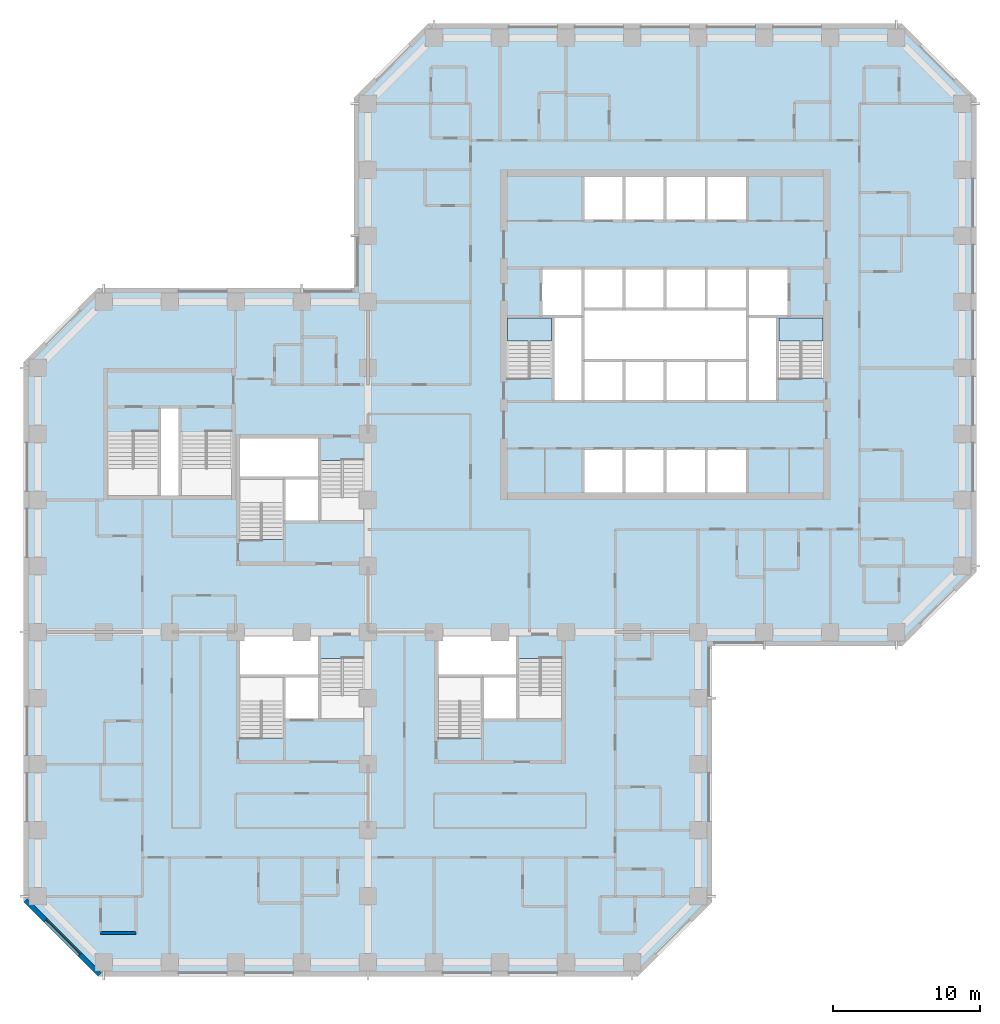
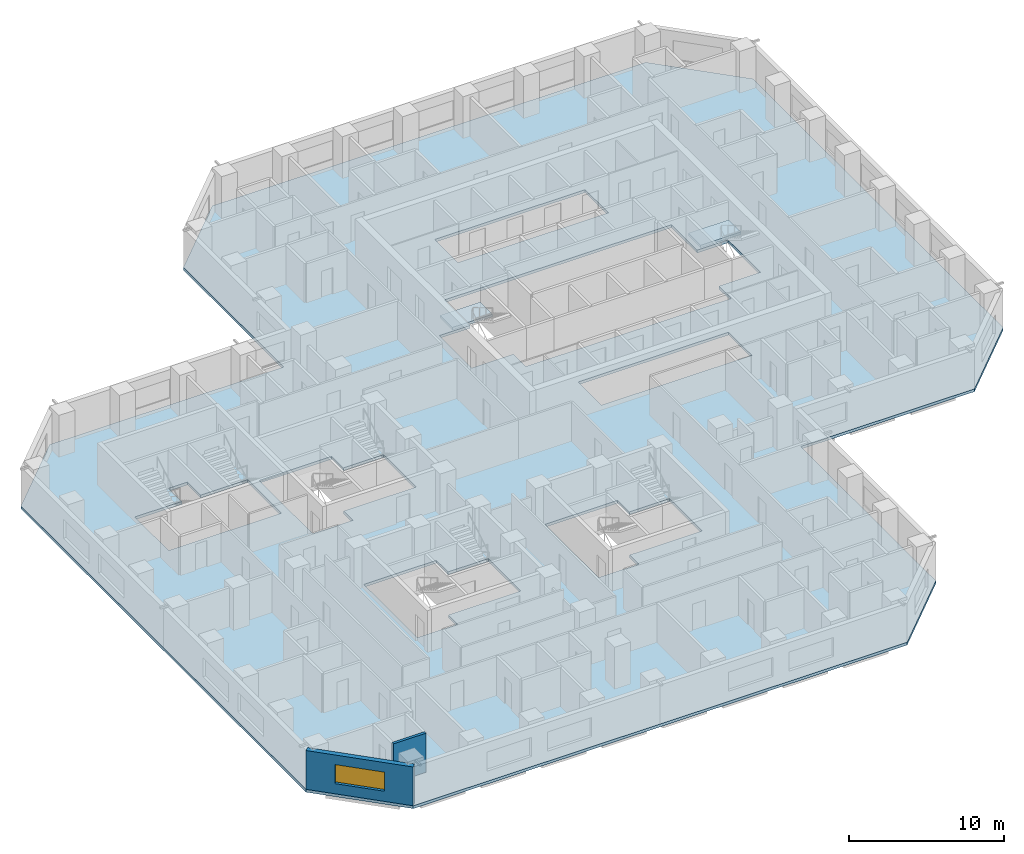
# One storey, part 2 of 13: 3 slabs, 2 walls, 1 window, 1 opening, 2 elements without a shape of their own.
"""IFC4 building model written with IfcOpenShell, lengths in metres."""

from ifc_helpers import new_model, si_unit, direction, frame, frame_2d, origin, place, context, subcontext, project, spatial, polyline, rectangle, outline, extrude, material, layer, layer_set, constituent, constituent_set, type_object, element, fill, aggregate, save


model = new_model("IFC4")

# Units and contexts
model_context = context("Model", 3, precision=1e-05, world=origin(), true_north=direction((0.0, 1.0)))
body_context = subcontext(model_context, "Body", "Model", "MODEL_VIEW")
ifc_project = project(units=[si_unit("LENGTHUNIT", "METRE"), si_unit("AREAUNIT", "SQUARE_METRE"), si_unit("VOLUMEUNIT", "CUBIC_METRE"), si_unit("PLANEANGLEUNIT", "RADIAN"), si_unit("MASSUNIT", "GRAM", prefix="KILO")], contexts=[model_context])

# Site, building, storey
site_placement = place(None, origin())
site = spatial("IfcSite", under=ifc_project, at=site_placement, CompositionType="ELEMENT")
building_placement = place(site_placement, origin())
building = spatial("IfcBuilding", under=site, at=building_placement, Name="Quoin Convention Tower", CompositionType="ELEMENT")
storey_placement = place(building_placement, frame((0.0, 0.0, 62.699951171875)))
storey = spatial("IfcBuildingStorey", under=building, at=storey_placement, Name="L16", CompositionType="ELEMENT", Elevation=62.699951171875)

# Slab
ifc_material_1 = material(Name="Concrete C50", Category="concrete")
ifc_layer_1 = layer(ifc_material_1, 0.219970703125)
ifc_layer_set_1 = layer_set([ifc_layer_1], Name="Concrete C50")
slab_type_1 = type_object("IfcSlabType", Name="RC SLAB 220 C50", PredefinedType="FLOOR", material=ifc_layer_set_1)
slab_1_placement = place(storey_placement, frame((0.0, 0.0, -0.219970703125)))
element("IfcSlab", 1, at=slab_1_placement, inside=storey, type_object=slab_type_1, Name="slb-L16", PredefinedType="FLOOR", context=body_context, shape_type="SweptSolid", body=[
    extrude(outline(polyline([(12.550048828125, 58.8935546875), (17.6064453125, 63.949951171875), (35.050048828125, 63.949951171875), (35.050048828125, 76.8935546875), (40.1064453125, 81.949951171875), (72.3935546875, 81.949951171875), (77.449951171875, 76.8935546875), (77.449951171875, 44.6064453125), (72.3935546875, 39.550048828125), (59.449951171875, 39.550048828125), (59.449951171875, 22.1064453125), (54.3935546875, 17.050048828125), (17.6064453125, 17.050048828125), (12.550048828125, 22.1064453125), (12.550048828125, 58.8935546875)]), holes=[polyline([(30.300048828125, 33.300537109375), (30.300048828125, 34.5), (32.699951171875, 34.5), (35.699951171875, 34.5), (35.699951171875, 38.699462890625), (32.699951171875, 38.699462890625), (32.699951171875, 40.199951171875), (27.300048828125, 40.199951171875), (27.300048828125, 37.5), (27.300048828125, 33.300537109375), (30.300048828125, 33.300537109375)]), polyline([(43.800048828125, 33.300537109375), (43.800048828125, 34.5), (46.199951171875, 34.5), (49.199951171875, 34.5), (49.199951171875, 38.699462890625), (46.199951171875, 38.699462890625), (46.199951171875, 40.199951171875), (40.800048828125, 40.199951171875), (40.800048828125, 37.5), (40.800048828125, 33.300537109375), (43.800048828125, 33.300537109375)]), polyline([(27.300048828125, 46.800537109375), (30.300048828125, 46.800537109375), (30.300048828125, 48.0), (32.699951171875, 48.0), (35.699951171875, 48.0), (35.699951171875, 52.199462890625), (32.699951171875, 52.199462890625), (32.699951171875, 53.699951171875), (27.300048828125, 53.699951171875), (27.300048828125, 51.0), (27.300048828125, 46.800537109375)]), polyline([(53.449951171875, 50.0), (56.25, 50.0), (59.050048828125, 50.0), (61.85009765625, 50.0), (61.85009765625, 53.0), (59.050048828125, 53.0), (56.25, 53.0), (53.449951171875, 53.0), (50.64990234375, 53.0), (50.64990234375, 50.0), (53.449951171875, 50.0)]), polyline([(23.199951171875, 49.800048828125), (26.699951171875, 49.800048828125), (26.699951171875, 54.1494140625), (23.199951171875, 54.1494140625), (23.199951171875, 55.85009765625), (21.800048828125, 55.85009765625), (21.800048828125, 54.1494140625), (18.300048828125, 54.1494140625), (18.300048828125, 49.800048828125), (21.800048828125, 49.800048828125), (23.199951171875, 49.800048828125)]), polyline([(45.5, 57.800537109375), (48.60009765625, 57.800537109375), (48.60009765625, 56.199951171875), (50.64990234375, 56.199951171875), (53.449951171875, 56.199951171875), (56.25, 56.199951171875), (59.050048828125, 56.199951171875), (61.85009765625, 56.199951171875), (63.89990234375, 56.199951171875), (63.89990234375, 57.800537109375), (67.0, 57.800537109375), (67.0, 62.0), (64.699951171875, 62.0), (64.699951171875, 65.300048828125), (61.85009765625, 65.300048828125), (59.050048828125, 65.300048828125), (56.25, 65.300048828125), (53.449951171875, 65.300048828125), (50.64990234375, 65.300048828125), (47.800048828125, 65.300048828125), (47.800048828125, 62.0), (45.5, 62.0), (45.5, 57.800537109375)]), polyline([(59.050048828125, 68.5), (61.85009765625, 68.5), (61.85009765625, 71.5), (59.050048828125, 71.5), (56.25, 71.5), (53.449951171875, 71.5), (50.64990234375, 71.5), (50.64990234375, 68.5), (53.449951171875, 68.5), (56.25, 68.5), (59.050048828125, 68.5)])]), origin(), (0.0, 0.0, 1.0), 0.219970703125),
])

# Stair, slab
ifc_material_2 = material(Name="Concrete C40", Category="concrete")
stair_type = type_object("IfcStairType", Name="Exit stair two-flight 1350", PredefinedType="HALF_TURN_STAIR", material=ifc_material_2)
stair_1_placement = place(storey_placement, origin())
stair_1 = element("IfcStair", 2, at=stair_1_placement, inside=storey, type_object=stair_type, Name="SD1 L16", PredefinedType="HALF_TURN_STAIR")
ifc_layer_2 = layer(ifc_material_2, 0.199951171875)
ifc_layer_set_2 = layer_set([ifc_layer_2], Name="Concrete C40")
slab_type_2 = type_object("IfcSlabType", Name="Stair landing 200", PredefinedType="LANDING", material=ifc_layer_set_2)
slab_2_placement = place(storey_placement, frame((0.0, 0.0, 1.449951171875)))
slab_2 = element("IfcSlab", 3, at=slab_2_placement, type_object=slab_type_2, Name="ST1 landing 1", PredefinedType="LANDING", context=body_context, shape_type="SweptSolid", body=[
    extrude(outline(polyline([(45.5, 60.320068359375), (48.5, 60.320068359375), (48.5, 61.89990234375), (45.5, 61.89990234375), (45.5, 60.320068359375)])), origin(), (0.0, 0.0, 1.0), 0.2001953125),
])
aggregate(stair_1, [slab_2])

stair_2_placement = place(storey_placement, origin())
stair_2 = element("IfcStair", 4, at=stair_2_placement, inside=storey, type_object=stair_type, Name="SD2 L16", PredefinedType="HALF_TURN_STAIR")
slab_3_placement = place(storey_placement, frame((0.0, 0.0, 1.449951171875)))
slab_3 = element("IfcSlab", 5, at=slab_3_placement, type_object=slab_type_2, Name="ST2 landing 1", PredefinedType="LANDING", context=body_context, shape_type="SweptSolid", body=[
    extrude(outline(polyline([(64.0, 60.320068359375), (67.0, 60.320068359375), (67.0, 61.89990234375), (64.0, 61.89990234375), (64.0, 60.320068359375)])), origin(), (0.0, 0.0, 1.0), 0.2001953125),
])
aggregate(stair_2, [slab_3])

# Wall, opening, window
ifc_material_3 = material(Name="Brick masonry", Category="masonry")
ifc_layer_3 = layer(ifc_material_3, 0.35009765625)
ifc_layer_set_3 = layer_set([ifc_layer_3], Name="Brick masonry")
wall_type_1 = type_object("IfcWallType", Name="Brick facade wall", PredefinedType="STANDARD", material=ifc_layer_set_3)
wall_1_placement = place(storey_placement, frame((12.673583984375, 22.230224609375, 0.0), z_axis=(0.0, 0.0, 1.0), x_axis=(0.707106781187, -0.707106781187, 0.0)))
wall_1 = element("IfcWall", 6, at=wall_1_placement, inside=storey, type_object=wall_type_1, Name="fw-L16-13500_22500", PredefinedType="STANDARD", context=body_context, shape_type="SweptSolid", body=[
    extrude(rectangle(XDim=7.151123046875, YDim=0.35009765625, at=frame_2d((3.57568359375, 0.0))), origin(), (0.0, 0.0, 1.0), 3.054931640625),
])
opening_placement = place(wall_1_placement, frame((1.925537109375, 0.0, 0.800048828125)))
opening = element("IfcOpeningElement", 7, at=opening_placement, cuts=wall_1, Name="Opening W-01", PredefinedType="OPENING", context=body_context, shape_type="SweptSolid", body=[
    extrude(rectangle(XDim=3.300048828125, YDim=1.5, at=frame_2d((1.64990234375, 0.75))), frame((0.0, 0.18505859375, 0.0), z_axis=(0.0, -1.0, 0.0), x_axis=(1.0, 0.0, 0.0)), (0.0, 0.0, 1.0), 0.3701171875),
])
ifc_material_4 = material(Name="Aluminium", Category="aluminium")
ifc_constituent_1 = constituent(ifc_material_4, Name="Frame")
ifc_material_5 = material(Name="Insulated glass", Category="glass")
ifc_constituent_2 = constituent(ifc_material_5, Name="Glazing")
ifc_constituent_set = constituent_set(constituents=[ifc_constituent_1, ifc_constituent_2], Name="Aluminium")
window_type = type_object("IfcWindowType", Name="Hotel strip window", PartitioningType="DOUBLE_PANEL_VERTICAL", PredefinedType="WINDOW", material=ifc_constituent_set)
window_placement = place(opening_placement, origin())
window = element("IfcWindow", 8, at=window_placement, inside=storey, type_object=window_type, Name="win-L16-15202_19702", OverallHeight=1.5, OverallWidth=3.300048828125, PartitioningType="SINGLE_PANEL", PredefinedType="WINDOW", context=body_context, shape_type="SweptSolid", body=[
    extrude(rectangle(XDim=3.300048828125, YDim=1.5, at=frame_2d((1.64990234375, 0.75))), frame((0.0, 0.0849609375, 0.0), z_axis=(0.0, -1.0, 0.0), x_axis=(1.0, 0.0, 0.0)), (0.0, 0.0, 1.0), 0.06005859375),
])
fill(opening, window)

# Wall
ifc_layer_4 = layer(ifc_material_1, 0.199951171875)
ifc_layer_set_4 = layer_set([ifc_layer_4], Name="Concrete C50")
wall_type_2 = type_object("IfcWallType", Name="RC party wall", PredefinedType="SOLIDWALL", material=ifc_layer_set_4)
wall_2_placement = place(storey_placement, frame((17.800048828125, 20.0, 0.0), z_axis=(0.0, 0.0, 1.0), x_axis=(1.0, 0.0, 0.0)))
element("IfcWall", 9, at=wall_2_placement, inside=storey, type_object=wall_type_2, Name="pw-L16-043", PredefinedType="SOLIDWALL", context=body_context, shape_type="SweptSolid", body=[
    extrude(rectangle(XDim=2.39990234375, YDim=0.199951171875, at=frame_2d((1.199951171875, 0.0))), origin(), (0.0, 0.0, 1.0), 3.080078125),
])

save(model, "model.ifc")
